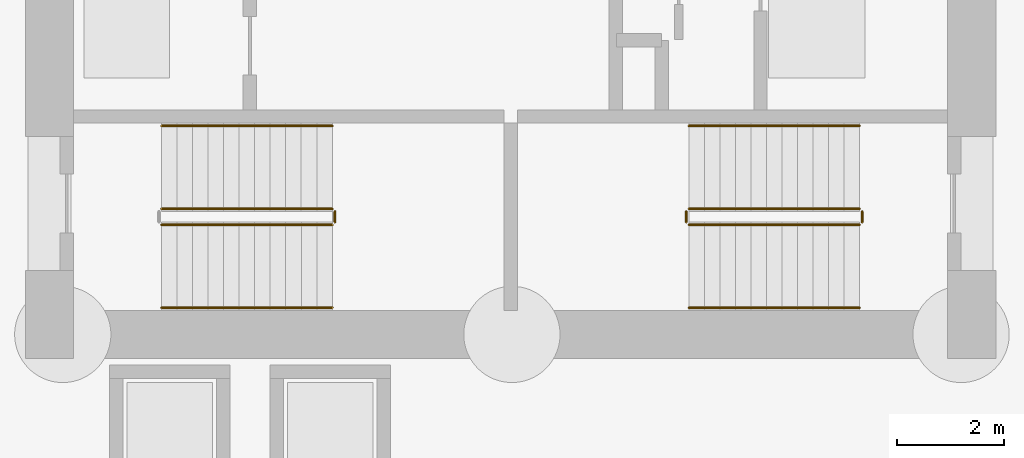
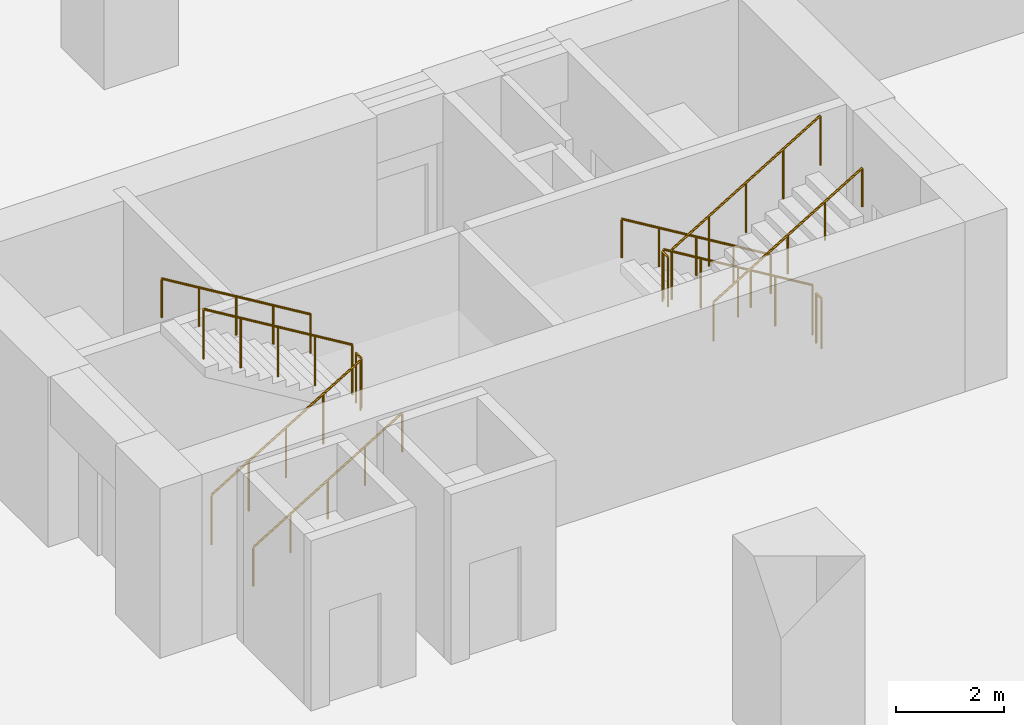
# One storey, part 10 of 12: 11 railings.
"""IFC4 building model written with IfcOpenShell, lengths in metres."""

import ifcopenshell
import ifcopenshell.guid

model = None  # the IFC model being written
_history = None  # IfcOwnerHistory: only IFC2X3 demands one
_inside = {}  # id of a spatial element -> (the spatial element, [elements in it])
_under = {}  # id of a project, library or spatial element -> (it, [spatial elements below it])
_declared = {}  # id of a project -> (the project, [libraries it declares])
_typed = {}  # id of a type object -> (the type object, [elements of that type])
_made_of = {}  # id of a material, layer set ... -> (it, [elements and type objects made of it])


def new_model(schema):
    """Start an empty IFC model of exactly this schema.

    Asked for "IFC4X3", IfcOpenShell would pick the latest addendum, in which some entities
    have other attributes; the version numbers below select the first issue.
    IFC2X3 requires an IfcOwnerHistory on every rooted entity: one is made here for all.
    """
    global model, _history
    if schema == "IFC4X3":
        model = ifcopenshell.file(schema_version=(4, 3, 0, 0))
    else:
        model = ifcopenshell.file(schema=schema)
    _inside.clear()
    _under.clear()
    _declared.clear()
    _typed.clear()
    _made_of.clear()
    _history = None
    if model.schema == "IFC2X3":
        org = make("IfcOrganization", Name="unknown")
        user = make(
            "IfcPersonAndOrganization",
            ThePerson=make("IfcPerson", FamilyName="unknown"),
            TheOrganization=org,
        )
        app = make(
            "IfcApplication",
            ApplicationDeveloper=org,
            Version="unknown",
            ApplicationFullName="unknown",
            ApplicationIdentifier="unknown",
        )
        _history = make(
            "IfcOwnerHistory",
            OwningUser=user,
            OwningApplication=app,
            ChangeAction="ADDED",
            CreationDate=0,
        )
    return model


def make(cls, **values):
    """One entity of the class cls with the attributes given. An attribute that is None is left unset."""
    return model.create_entity(
        cls, **{name: value for name, value in values.items() if value is not None}
    )


def rooted(cls, **values):
    """An entity with a GlobalId (a new one), such as an element, a storey or a relation."""
    return make(cls, GlobalId=ifcopenshell.guid.new(), OwnerHistory=_history, **values)


def si_unit(unit_type, name, prefix=None):
    """IfcSIUnit, for example si_unit("LENGTHUNIT", "METRE", prefix="MILLI")."""
    return make("IfcSIUnit", UnitType=unit_type, Prefix=prefix, Name=name)


def assignment(units):
    """IfcUnitAssignment: the units of a project."""
    return None if units is None else make("IfcUnitAssignment", Units=units)


def point(xyz):
    """IfcCartesianPoint."""
    return None if xyz is None else make("IfcCartesianPoint", Coordinates=xyz)


def direction(xyz):
    """IfcDirection."""
    return None if xyz is None else make("IfcDirection", DirectionRatios=xyz)


def frame(location, z_axis=None, x_axis=None):
    """IfcAxis2Placement3D, a coordinate frame: its origin and axes. An axis left out is left unset."""
    return make(
        "IfcAxis2Placement3D",
        Location=point(location),
        Axis=direction(z_axis),
        RefDirection=direction(x_axis),
    )


def frame_2d(location, x_axis=None):
    """IfcAxis2Placement2D, a coordinate frame in the plane: its origin and x axis."""
    return make(
        "IfcAxis2Placement2D", Location=point(location), RefDirection=direction(x_axis)
    )


def origin():
    """The frame at (0, 0, 0) with its axes left unset."""
    return frame((0.0, 0.0, 0.0))


def origin_2d():
    """The frame at (0, 0) in the plane with its x axis left unset."""
    return frame_2d((0.0, 0.0))


def place(relative_to, where):
    """IfcLocalPlacement: puts the frame where relative to a parent placement (None: the world)."""
    return make(
        "IfcLocalPlacement", PlacementRelTo=relative_to, RelativePlacement=where
    )


def context(
    kind, dimensions, precision=None, world=None, true_north=None, identifier=None
):
    """IfcGeometricRepresentationContext, for example the 3D "Model" context."""
    return make(
        "IfcGeometricRepresentationContext",
        ContextIdentifier=identifier,
        ContextType=kind,
        CoordinateSpaceDimension=dimensions,
        Precision=precision,
        WorldCoordinateSystem=world,
        TrueNorth=true_north,
    )


def subcontext(parent, identifier, kind, view, scale=None):
    """IfcGeometricRepresentationSubContext, for example "Body" below "Model"."""
    return make(
        "IfcGeometricRepresentationSubContext",
        ContextIdentifier=identifier,
        ContextType=kind,
        ParentContext=parent,
        TargetScale=scale,
        TargetView=view,
    )


def project(units=None, contexts=None):
    """IfcProject with its units and contexts."""
    return rooted(
        "IfcProject",
        Name="project",
        RepresentationContexts=contexts,
        UnitsInContext=assignment(units),
    )


def spatial(cls, under=None, at=None, **own):
    """A site, building, storey or space (cls), placed at a placement, below another one or the project."""
    s = rooted(cls, ObjectPlacement=at, **own)
    if under is not None:
        _under.setdefault(under.id(), (under, []))[1].append(s)
    return s


def profile(cls, at=None, kind="AREA", **sizes):
    """A parametric profile (cls). Its sizes go by their IFC names, for example OverallWidth=200.0."""
    return make(cls, ProfileType=kind, Position=at, **sizes)


def circle(**sizes):
    """IfcCircleProfileDef."""
    return profile("IfcCircleProfileDef", **sizes)


def extrude(swept, where, along, depth):
    """IfcExtrudedAreaSolid: the profile swept, set in the frame where, extruded along a direction by depth."""
    return make(
        "IfcExtrudedAreaSolid",
        SweptArea=swept,
        Position=where,
        ExtrudedDirection=direction(along),
        Depth=depth,
    )


def shape(context_of_items, identifier, shape_type, items):
    """IfcShapeRepresentation: the items that make up one representation, for example the "Body"."""
    return make(
        "IfcShapeRepresentation",
        ContextOfItems=context_of_items,
        RepresentationIdentifier=identifier,
        RepresentationType=shape_type,
        Items=items,
    )


def material(Name=None, Category=None):
    """IfcMaterial."""
    return make("IfcMaterial", Name=Name, Category=Category)


def made_of(thing, what):
    """Note that an element or type object is made of a material, layer set ...; save() writes the relation."""
    if what is not None:
        _made_of.setdefault(what.id(), (what, []))[1].append(thing)
    return thing


def type_object(cls, material=None, **own):
    """A type object (cls), such as IfcWallType, which elements share."""
    return made_of(rooted(cls, **own), material)


def element(
    cls,
    number,
    at=None,
    inside=None,
    cuts=None,
    type_object=None,
    material=None,
    context=None,
    identifier="Body",
    shape_type=None,
    held_by="IfcProductDefinitionShape",
    body=None,
    shapes=None,
    **own,
):
    """One element of the class cls, such as IfcWall. Its Tag is "e" and its number.

    at: its placement. inside: the storey or other place that contains it. cuts: it is an
    opening in that element (IfcRelVoidsElement). A single representation is given by context,
    identifier, shape_type and body (its items); several are given by shapes. held_by: the class
    of the entity that holds the representations. save() writes the other relations.
    """
    e = rooted(cls, Tag="e%d" % number, ObjectPlacement=at, **own)
    if body is not None:
        shapes = [shape(context, identifier, shape_type, body)]
    if shapes is not None:
        e.Representation = make(held_by, Representations=shapes)
    if inside is not None:
        _inside.setdefault(inside.id(), (inside, []))[1].append(e)
    if cuts is not None:
        rooted(
            "IfcRelVoidsElement", RelatingBuildingElement=cuts, RelatedOpeningElement=e
        )
    if type_object is not None:
        _typed.setdefault(type_object.id(), (type_object, []))[1].append(e)
    return made_of(e, material)


def aggregate(whole, parts):
    """IfcRelAggregates: a whole, such as a stair, and the parts it consists of."""
    return rooted("IfcRelAggregates", RelatingObject=whole, RelatedObjects=parts)


def save(model, path):
    """Write the relations noted so far, then the file.

    IfcRelAggregates (storeys below a building ...), IfcRelContainedInSpatialStructure (elements
    in a storey), IfcRelDefinesByType, IfcRelAssociatesMaterial and IfcRelDeclares: one each for
    every whole, place, type object, material and project.
    """
    for whole, parts in _under.values():
        aggregate(whole, parts)
    for where, things in _inside.values():
        rooted(
            "IfcRelContainedInSpatialStructure",
            RelatedElements=things,
            RelatingStructure=where,
        )
    for kind, things in _typed.values():
        rooted("IfcRelDefinesByType", RelatedObjects=things, RelatingType=kind)
    for what, things in _made_of.values():
        rooted("IfcRelAssociatesMaterial", RelatedObjects=things, RelatingMaterial=what)
    for by, libraries in _declared.values():
        rooted("IfcRelDeclares", RelatingContext=by, RelatedDefinitions=libraries)
    model.write(path)


model = new_model("IFC4")

# Units and contexts
model_context = context("Model", 3, precision=1e-05, world=origin(), true_north=direction((0.0, 1.0)))
body_context = subcontext(model_context, "Body", "Model", "MODEL_VIEW")
ifc_project = project(units=[si_unit("LENGTHUNIT", "METRE"), si_unit("AREAUNIT", "SQUARE_METRE"), si_unit("VOLUMEUNIT", "CUBIC_METRE"), si_unit("PLANEANGLEUNIT", "RADIAN"), si_unit("MASSUNIT", "GRAM", prefix="KILO")], contexts=[model_context])

# Site, building, storey
site_placement = place(None, origin())
site = spatial("IfcSite", under=ifc_project, at=site_placement, CompositionType="ELEMENT")
building_placement = place(site_placement, origin())
building = spatial("IfcBuilding", under=site, at=building_placement, Name="Koriwani Terraces Tower", CompositionType="ELEMENT")
storey_placement = place(building_placement, frame((0.0, 0.0, -8.39990234375)))
storey = spatial("IfcBuildingStorey", under=building, at=storey_placement, Name="B02", CompositionType="ELEMENT", Elevation=-8.39990234375)

# Railings
ifc_material = material(Name="Steel ASTM A572 Grade 50", Category="steel")
railing_type_1 = type_object("IfcRailingType", Name="GUARD_STAIR_WELL_1120", PredefinedType="GUARDRAIL", material=ifc_material)
railing_1_placement = place(storey_placement, frame((43.85009765625, 18.85009765625, 0.1748046875)))
element("IfcRailing", 1, at=railing_1_placement, inside=storey, type_object=railing_type_1, Name="B02 ST-E1 stair guard 1", PredefinedType="GUARDRAIL", context=body_context, shape_type="SweptSolid", body=[
    extrude(circle(Radius=0.02392578125, at=origin_2d()), frame((0.0, 0.0, 1.1259765625), z_axis=(0.856177665481, 0.0, 0.516681531633), x_axis=(0.0, 1.0, 0.0)), (0.0, 0.0, 1.0), 3.725830078125),
    extrude(circle(Radius=0.02099609375, at=origin_2d()), origin(), (0.0, 0.0, 1.0), 1.101806640625),
    extrude(circle(Radius=0.02099609375, at=origin_2d()), frame((0.79736328125, 0.0, 0.481201171875)), (0.0, 0.0, 1.0), 1.101806640625),
    extrude(circle(Radius=0.02099609375, at=origin_2d()), frame((1.594970703125, 0.0, 0.96240234375)), (0.0, 0.0, 1.0), 1.101806640625),
    extrude(circle(Radius=0.02099609375, at=origin_2d()), frame((2.392578125, 0.0, 1.44384765625)), (0.0, 0.0, 1.0), 1.101806640625),
    extrude(circle(Radius=0.02099609375, at=origin_2d()), frame((3.18994140625, 0.0, 1.925048828125)), (0.0, 0.0, 1.0), 1.101806640625),
])
railing_2_placement = place(storey_placement, frame((47.090087890625, 18.89990234375, 2.099853515625)))
element("IfcRailing", 2, at=railing_2_placement, inside=storey, type_object=railing_type_1, Name="B02 ST-E1 stair guard 2", PredefinedType="GUARDRAIL", context=body_context, shape_type="SweptSolid", body=[
    extrude(circle(Radius=0.02392578125, at=origin_2d()), frame((0.0, 0.0, 1.1259765625), z_axis=(0.0, 1.0, 0.0), x_axis=(-1.0, 0.0, 0.0)), (0.0, 0.0, 1.0), 0.2001953125),
    extrude(circle(Radius=0.02099609375, at=origin_2d()), origin(), (0.0, 0.0, 1.0), 1.101806640625),
    extrude(circle(Radius=0.02099609375, at=origin_2d()), frame((0.0, 0.2001953125, 0.0)), (0.0, 0.0, 1.0), 1.101806640625),
])
for number, where, name in (
    (3, (47.0400390625, 19.14990234375, 2.27490234375), "B02 ST-E1 stair guard 3"),
    (4, (56.89990234375, 19.14990234375, 0.1748046875), "B02 ST-E2 stair guard 1"),
):
    element("IfcRailing", number, at=place(storey_placement, frame(where)), inside=storey, type_object=railing_type_1, Name=name, PredefinedType="GUARDRAIL", context=body_context, shape_type="SweptSolid", body=[
        extrude(circle(Radius=0.02392578125, at=origin_2d()), frame((0.0, 0.0, 1.1259765625), z_axis=(-0.856177665481, 0.0, 0.516681531633), x_axis=(0.0, -1.0, 0.0)), (0.0, 0.0, 1.0), 3.725830078125),
        extrude(circle(Radius=0.02099609375, at=origin_2d()), origin(), (0.0, 0.0, 1.0), 1.101806640625),
        extrude(circle(Radius=0.02099609375, at=origin_2d()), frame((-0.79736328125, 0.0, 0.481201171875)), (0.0, 0.0, 1.0), 1.101806640625),
        extrude(circle(Radius=0.02099609375, at=origin_2d()), frame((-1.594970703125, 0.0, 0.96240234375)), (0.0, 0.0, 1.0), 1.101806640625),
        extrude(circle(Radius=0.02099609375, at=origin_2d()), frame((-2.392578125, 0.0, 1.44384765625)), (0.0, 0.0, 1.0), 1.101806640625),
        extrude(circle(Radius=0.02099609375, at=origin_2d()), frame((-3.18994140625, 0.0, 1.925048828125)), (0.0, 0.0, 1.0), 1.101806640625),
    ])
railing_3_placement = place(storey_placement, frame((53.659912109375, 19.10009765625, 2.099853515625)))
element("IfcRailing", 5, at=railing_3_placement, inside=storey, type_object=railing_type_1, Name="B02 ST-E2 stair guard 2", PredefinedType="GUARDRAIL", context=body_context, shape_type="SweptSolid", body=[
    extrude(circle(Radius=0.02392578125, at=origin_2d()), frame((0.0, 0.0, 1.1259765625), z_axis=(0.0, -1.0, 0.0), x_axis=(1.0, 0.0, 0.0)), (0.0, 0.0, 1.0), 0.2001953125),
    extrude(circle(Radius=0.02099609375, at=origin_2d()), origin(), (0.0, 0.0, 1.0), 1.101806640625),
    extrude(circle(Radius=0.02099609375, at=origin_2d()), frame((0.0, -0.2001953125, 0.0)), (0.0, 0.0, 1.0), 1.101806640625),
])
railing_4_placement = place(storey_placement, frame((53.7099609375, 18.85009765625, 2.27490234375)))
element("IfcRailing", 6, at=railing_4_placement, inside=storey, type_object=railing_type_1, Name="B02 ST-E2 stair guard 3", PredefinedType="GUARDRAIL", context=body_context, shape_type="SweptSolid", body=[
    extrude(circle(Radius=0.02392578125, at=origin_2d()), frame((0.0, 0.0, 1.1259765625), z_axis=(0.856177665481, 0.0, 0.516681531633), x_axis=(0.0, 1.0, 0.0)), (0.0, 0.0, 1.0), 3.725830078125),
    extrude(circle(Radius=0.02099609375, at=origin_2d()), origin(), (0.0, 0.0, 1.0), 1.101806640625),
    extrude(circle(Radius=0.02099609375, at=origin_2d()), frame((0.79736328125, 0.0, 0.481201171875)), (0.0, 0.0, 1.0), 1.101806640625),
    extrude(circle(Radius=0.02099609375, at=origin_2d()), frame((1.594970703125, 0.0, 0.96240234375)), (0.0, 0.0, 1.0), 1.101806640625),
    extrude(circle(Radius=0.02099609375, at=origin_2d()), frame((2.392578125, 0.0, 1.44384765625)), (0.0, 0.0, 1.0), 1.101806640625),
    extrude(circle(Radius=0.02099609375, at=origin_2d()), frame((3.18994140625, 0.0, 1.925048828125)), (0.0, 0.0, 1.0), 1.101806640625),
])
railing_5_placement = place(storey_placement, frame((56.949951171875, 19.10009765625, 0.0)))
element("IfcRailing", 7, at=railing_5_placement, inside=storey, type_object=railing_type_1, Name="B02 ST-E2 stair guard 4", PredefinedType="GUARDRAIL", context=body_context, shape_type="SweptSolid", body=[
    extrude(circle(Radius=0.02392578125, at=origin_2d()), frame((0.0, 0.0, 1.1259765625), z_axis=(0.0, -1.0, 0.0), x_axis=(1.0, 0.0, 0.0)), (0.0, 0.0, 1.0), 0.2001953125),
    extrude(circle(Radius=0.02099609375, at=origin_2d()), origin(), (0.0, 0.0, 1.0), 1.101806640625),
    extrude(circle(Radius=0.02099609375, at=origin_2d()), frame((0.0, -0.2001953125, 0.0)), (0.0, 0.0, 1.0), 1.101806640625),
])
railing_type_2 = type_object("IfcRailingType", Name="HANDRAIL_STAIR_920", PredefinedType="HANDRAIL", material=ifc_material)
railing_6_placement = place(storey_placement, frame((43.85009765625, 17.300048828125, 0.1748046875)))
element("IfcRailing", 8, at=railing_6_placement, inside=storey, type_object=railing_type_2, Name="B02 ST-E1 stair handrail 1", PredefinedType="HANDRAIL", context=body_context, shape_type="SweptSolid", body=[
    extrude(circle(Radius=0.02392578125, at=origin_2d()), frame((0.0, 0.0, 0.8759765625), z_axis=(0.856177665481, 0.0, 0.516681531633), x_axis=(0.0, 1.0, 0.0)), (0.0, 0.0, 1.0), 3.725830078125),
    extrude(circle(Radius=0.02099609375, at=origin_2d()), origin(), (0.0, 0.0, 1.0), 0.851806640625),
    extrude(circle(Radius=0.02099609375, at=origin_2d()), frame((0.79736328125, 0.0, 0.481201171875)), (0.0, 0.0, 1.0), 0.851806640625),
    extrude(circle(Radius=0.02099609375, at=origin_2d()), frame((1.594970703125, 0.0, 0.96240234375)), (0.0, 0.0, 1.0), 0.851806640625),
    extrude(circle(Radius=0.02099609375, at=origin_2d()), frame((2.392578125, 0.0, 1.44384765625)), (0.0, 0.0, 1.0), 0.851806640625),
    extrude(circle(Radius=0.02099609375, at=origin_2d()), frame((3.18994140625, 0.0, 1.925048828125)), (0.0, 0.0, 1.0), 0.851806640625),
])
for number, where, name in (
    (9, (47.0400390625, 20.699951171875, 2.27490234375), "B02 ST-E1 stair handrail 2"),
    (10, (56.89990234375, 20.699951171875, 0.1748046875), "B02 ST-E2 stair handrail 1"),
):
    element("IfcRailing", number, at=place(storey_placement, frame(where)), inside=storey, type_object=railing_type_2, Name=name, PredefinedType="HANDRAIL", context=body_context, shape_type="SweptSolid", body=[
        extrude(circle(Radius=0.02392578125, at=origin_2d()), frame((0.0, 0.0, 0.8759765625), z_axis=(-0.856177665481, 0.0, 0.516681531633), x_axis=(0.0, -1.0, 0.0)), (0.0, 0.0, 1.0), 3.725830078125),
        extrude(circle(Radius=0.02099609375, at=origin_2d()), origin(), (0.0, 0.0, 1.0), 0.851806640625),
        extrude(circle(Radius=0.02099609375, at=origin_2d()), frame((-0.79736328125, 0.0, 0.481201171875)), (0.0, 0.0, 1.0), 0.851806640625),
        extrude(circle(Radius=0.02099609375, at=origin_2d()), frame((-1.594970703125, 0.0, 0.96240234375)), (0.0, 0.0, 1.0), 0.851806640625),
        extrude(circle(Radius=0.02099609375, at=origin_2d()), frame((-2.392578125, 0.0, 1.44384765625)), (0.0, 0.0, 1.0), 0.851806640625),
        extrude(circle(Radius=0.02099609375, at=origin_2d()), frame((-3.18994140625, 0.0, 1.925048828125)), (0.0, 0.0, 1.0), 0.851806640625),
    ])
railing_7_placement = place(storey_placement, frame((53.7099609375, 17.300048828125, 2.27490234375)))
element("IfcRailing", 11, at=railing_7_placement, inside=storey, type_object=railing_type_2, Name="B02 ST-E2 stair handrail 2", PredefinedType="HANDRAIL", context=body_context, shape_type="SweptSolid", body=[
    extrude(circle(Radius=0.02392578125, at=origin_2d()), frame((0.0, 0.0, 0.8759765625), z_axis=(0.856177665481, 0.0, 0.516681531633), x_axis=(0.0, 1.0, 0.0)), (0.0, 0.0, 1.0), 3.725830078125),
    extrude(circle(Radius=0.02099609375, at=origin_2d()), origin(), (0.0, 0.0, 1.0), 0.851806640625),
    extrude(circle(Radius=0.02099609375, at=origin_2d()), frame((0.79736328125, 0.0, 0.481201171875)), (0.0, 0.0, 1.0), 0.851806640625),
    extrude(circle(Radius=0.02099609375, at=origin_2d()), frame((1.594970703125, 0.0, 0.96240234375)), (0.0, 0.0, 1.0), 0.851806640625),
    extrude(circle(Radius=0.02099609375, at=origin_2d()), frame((2.392578125, 0.0, 1.44384765625)), (0.0, 0.0, 1.0), 0.851806640625),
    extrude(circle(Radius=0.02099609375, at=origin_2d()), frame((3.18994140625, 0.0, 1.925048828125)), (0.0, 0.0, 1.0), 0.851806640625),
])

save(model, "model.ifc")
